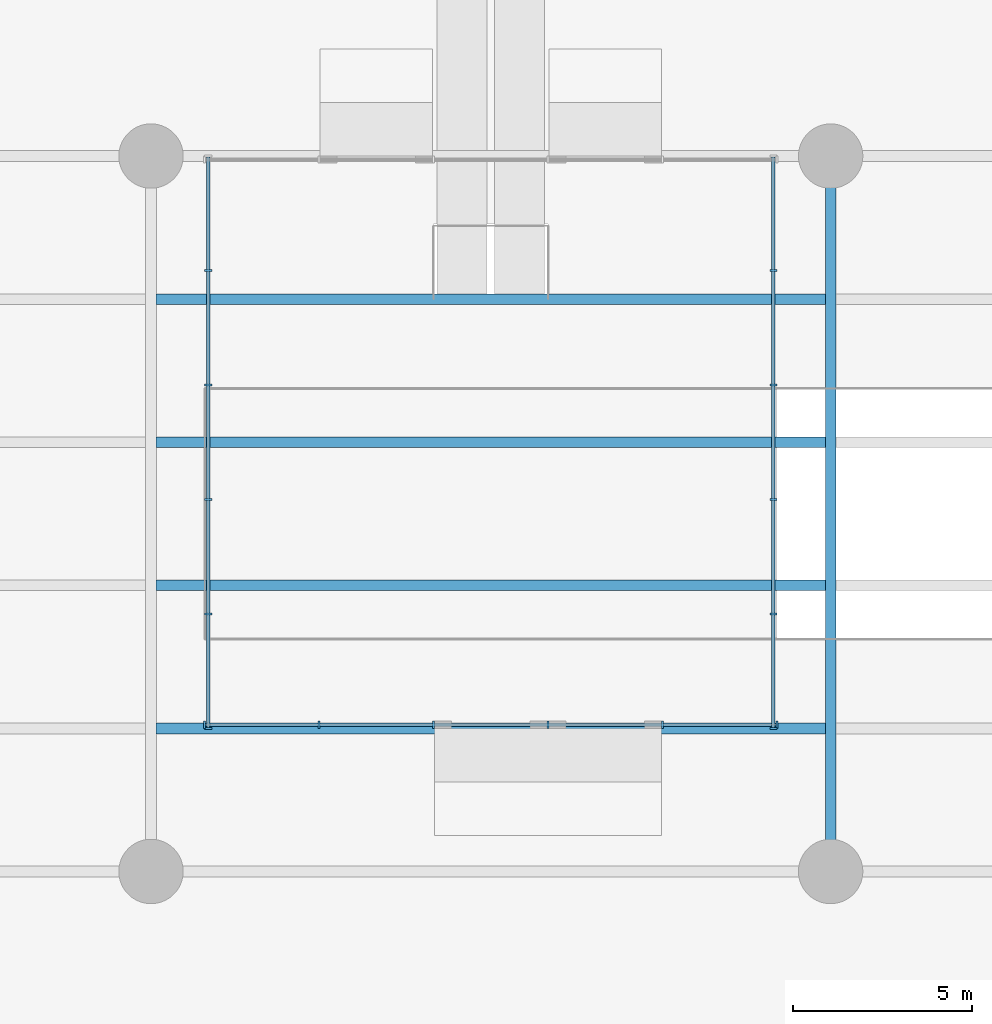
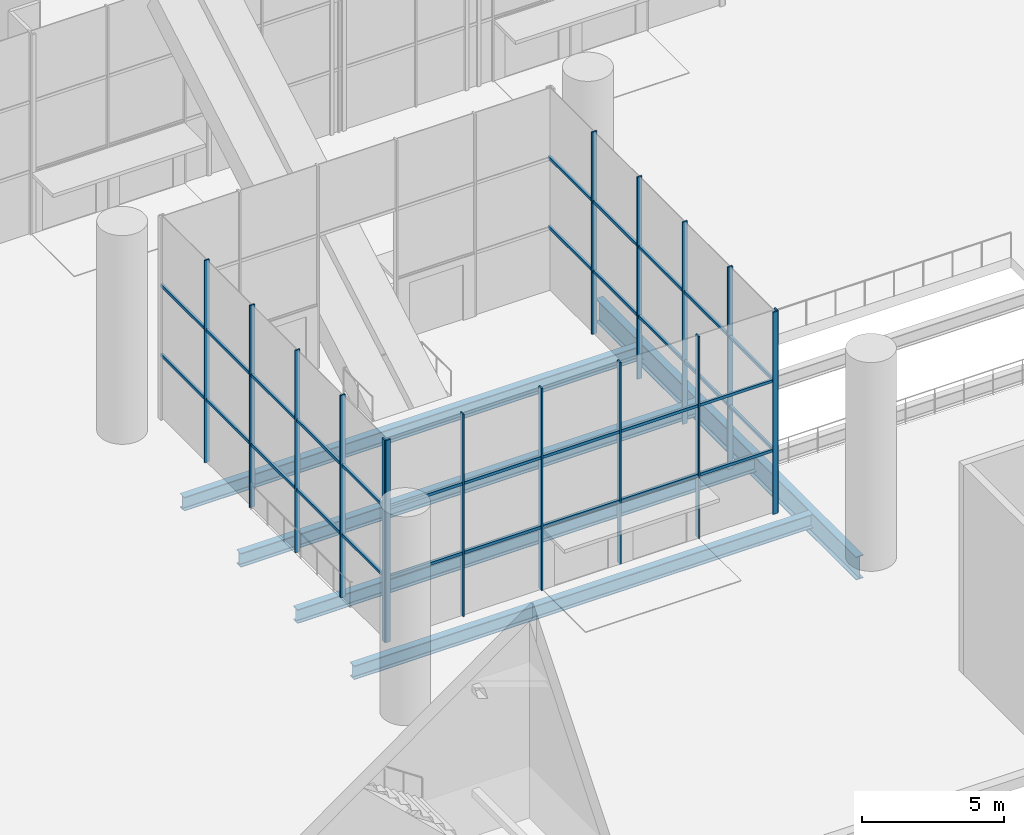
# One storey, part 2 of 37: 22 members, 5 beams, 3 elements without a shape of their own.
"""IFC4 building model written with IfcOpenShell, lengths in metres."""

import ifcopenshell
import ifcopenshell.guid

model = None  # the IFC model being written
_history = None  # IfcOwnerHistory: only IFC2X3 demands one
_inside = {}  # id of a spatial element -> (the spatial element, [elements in it])
_under = {}  # id of a project, library or spatial element -> (it, [spatial elements below it])
_declared = {}  # id of a project -> (the project, [libraries it declares])
_typed = {}  # id of a type object -> (the type object, [elements of that type])
_made_of = {}  # id of a material, layer set ... -> (it, [elements and type objects made of it])


def new_model(schema):
    """Start an empty IFC model of exactly this schema.

    Asked for "IFC4X3", IfcOpenShell would pick the latest addendum, in which some entities
    have other attributes; the version numbers below select the first issue.
    IFC2X3 requires an IfcOwnerHistory on every rooted entity: one is made here for all.
    """
    global model, _history
    if schema == "IFC4X3":
        model = ifcopenshell.file(schema_version=(4, 3, 0, 0))
    else:
        model = ifcopenshell.file(schema=schema)
    _inside.clear()
    _under.clear()
    _declared.clear()
    _typed.clear()
    _made_of.clear()
    _history = None
    if model.schema == "IFC2X3":
        org = make("IfcOrganization", Name="unknown")
        user = make(
            "IfcPersonAndOrganization",
            ThePerson=make("IfcPerson", FamilyName="unknown"),
            TheOrganization=org,
        )
        app = make(
            "IfcApplication",
            ApplicationDeveloper=org,
            Version="unknown",
            ApplicationFullName="unknown",
            ApplicationIdentifier="unknown",
        )
        _history = make(
            "IfcOwnerHistory",
            OwningUser=user,
            OwningApplication=app,
            ChangeAction="ADDED",
            CreationDate=0,
        )
    return model


def make(cls, **values):
    """One entity of the class cls with the attributes given. An attribute that is None is left unset."""
    return model.create_entity(
        cls, **{name: value for name, value in values.items() if value is not None}
    )


def rooted(cls, **values):
    """An entity with a GlobalId (a new one), such as an element, a storey or a relation."""
    return make(cls, GlobalId=ifcopenshell.guid.new(), OwnerHistory=_history, **values)


def si_unit(unit_type, name, prefix=None):
    """IfcSIUnit, for example si_unit("LENGTHUNIT", "METRE", prefix="MILLI")."""
    return make("IfcSIUnit", UnitType=unit_type, Prefix=prefix, Name=name)


def assignment(units):
    """IfcUnitAssignment: the units of a project."""
    return None if units is None else make("IfcUnitAssignment", Units=units)


def point(xyz):
    """IfcCartesianPoint."""
    return None if xyz is None else make("IfcCartesianPoint", Coordinates=xyz)


def direction(xyz):
    """IfcDirection."""
    return None if xyz is None else make("IfcDirection", DirectionRatios=xyz)


def frame(location, z_axis=None, x_axis=None):
    """IfcAxis2Placement3D, a coordinate frame: its origin and axes. An axis left out is left unset."""
    return make(
        "IfcAxis2Placement3D",
        Location=point(location),
        Axis=direction(z_axis),
        RefDirection=direction(x_axis),
    )


def frame_2d(location, x_axis=None):
    """IfcAxis2Placement2D, a coordinate frame in the plane: its origin and x axis."""
    return make(
        "IfcAxis2Placement2D", Location=point(location), RefDirection=direction(x_axis)
    )


def origin():
    """The frame at (0, 0, 0) with its axes left unset."""
    return frame((0.0, 0.0, 0.0))


def origin_2d():
    """The frame at (0, 0) in the plane with its x axis left unset."""
    return frame_2d((0.0, 0.0))


def place(relative_to, where):
    """IfcLocalPlacement: puts the frame where relative to a parent placement (None: the world)."""
    return make(
        "IfcLocalPlacement", PlacementRelTo=relative_to, RelativePlacement=where
    )


def context(
    kind, dimensions, precision=None, world=None, true_north=None, identifier=None
):
    """IfcGeometricRepresentationContext, for example the 3D "Model" context."""
    return make(
        "IfcGeometricRepresentationContext",
        ContextIdentifier=identifier,
        ContextType=kind,
        CoordinateSpaceDimension=dimensions,
        Precision=precision,
        WorldCoordinateSystem=world,
        TrueNorth=true_north,
    )


def subcontext(parent, identifier, kind, view, scale=None):
    """IfcGeometricRepresentationSubContext, for example "Body" below "Model"."""
    return make(
        "IfcGeometricRepresentationSubContext",
        ContextIdentifier=identifier,
        ContextType=kind,
        ParentContext=parent,
        TargetScale=scale,
        TargetView=view,
    )


def project(units=None, contexts=None):
    """IfcProject with its units and contexts."""
    return rooted(
        "IfcProject",
        Name="project",
        RepresentationContexts=contexts,
        UnitsInContext=assignment(units),
    )


def spatial(cls, under=None, at=None, **own):
    """A site, building, storey or space (cls), placed at a placement, below another one or the project."""
    s = rooted(cls, ObjectPlacement=at, **own)
    if under is not None:
        _under.setdefault(under.id(), (under, []))[1].append(s)
    return s


def profile(cls, at=None, kind="AREA", **sizes):
    """A parametric profile (cls). Its sizes go by their IFC names, for example OverallWidth=200.0."""
    return make(cls, ProfileType=kind, Position=at, **sizes)


def rectangle(**sizes):
    """IfcRectangleProfileDef."""
    return profile("IfcRectangleProfileDef", **sizes)


def i_section(**sizes):
    """IfcIShapeProfileDef."""
    return profile("IfcIShapeProfileDef", **sizes)


def extrude(swept, where, along, depth):
    """IfcExtrudedAreaSolid: the profile swept, set in the frame where, extruded along a direction by depth."""
    return make(
        "IfcExtrudedAreaSolid",
        SweptArea=swept,
        Position=where,
        ExtrudedDirection=direction(along),
        Depth=depth,
    )


def shape(context_of_items, identifier, shape_type, items):
    """IfcShapeRepresentation: the items that make up one representation, for example the "Body"."""
    return make(
        "IfcShapeRepresentation",
        ContextOfItems=context_of_items,
        RepresentationIdentifier=identifier,
        RepresentationType=shape_type,
        Items=items,
    )


def material(Name=None, Category=None):
    """IfcMaterial."""
    return make("IfcMaterial", Name=Name, Category=Category)


def material_profile(
    of_material, cross_section, Name=None, Category=None, Priority=None
):
    """IfcMaterialProfile: a cross section and its material."""
    return make(
        "IfcMaterialProfile",
        Name=Name,
        Material=of_material,
        Profile=cross_section,
        Priority=Priority,
        Category=Category,
    )


def profile_set(profiles, Name=None, composite=None):
    """IfcMaterialProfileSet."""
    return make(
        "IfcMaterialProfileSet",
        Name=Name,
        MaterialProfiles=profiles,
        CompositeProfile=composite,
    )


def made_of(thing, what):
    """Note that an element or type object is made of a material, layer set ...; save() writes the relation."""
    if what is not None:
        _made_of.setdefault(what.id(), (what, []))[1].append(thing)
    return thing


def type_object(cls, material=None, **own):
    """A type object (cls), such as IfcWallType, which elements share."""
    return made_of(rooted(cls, **own), material)


def element(
    cls,
    number,
    at=None,
    inside=None,
    cuts=None,
    type_object=None,
    material=None,
    context=None,
    identifier="Body",
    shape_type=None,
    held_by="IfcProductDefinitionShape",
    body=None,
    shapes=None,
    **own,
):
    """One element of the class cls, such as IfcWall. Its Tag is "e" and its number.

    at: its placement. inside: the storey or other place that contains it. cuts: it is an
    opening in that element (IfcRelVoidsElement). A single representation is given by context,
    identifier, shape_type and body (its items); several are given by shapes. held_by: the class
    of the entity that holds the representations. save() writes the other relations.
    """
    e = rooted(cls, Tag="e%d" % number, ObjectPlacement=at, **own)
    if body is not None:
        shapes = [shape(context, identifier, shape_type, body)]
    if shapes is not None:
        e.Representation = make(held_by, Representations=shapes)
    if inside is not None:
        _inside.setdefault(inside.id(), (inside, []))[1].append(e)
    if cuts is not None:
        rooted(
            "IfcRelVoidsElement", RelatingBuildingElement=cuts, RelatedOpeningElement=e
        )
    if type_object is not None:
        _typed.setdefault(type_object.id(), (type_object, []))[1].append(e)
    return made_of(e, material)


def aggregate(whole, parts):
    """IfcRelAggregates: a whole, such as a stair, and the parts it consists of."""
    return rooted("IfcRelAggregates", RelatingObject=whole, RelatedObjects=parts)


def save(model, path):
    """Write the relations noted so far, then the file.

    IfcRelAggregates (storeys below a building ...), IfcRelContainedInSpatialStructure (elements
    in a storey), IfcRelDefinesByType, IfcRelAssociatesMaterial and IfcRelDeclares: one each for
    every whole, place, type object, material and project.
    """
    for whole, parts in _under.values():
        aggregate(whole, parts)
    for where, things in _inside.values():
        rooted(
            "IfcRelContainedInSpatialStructure",
            RelatedElements=things,
            RelatingStructure=where,
        )
    for kind, things in _typed.values():
        rooted("IfcRelDefinesByType", RelatedObjects=things, RelatingType=kind)
    for what, things in _made_of.values():
        rooted("IfcRelAssociatesMaterial", RelatedObjects=things, RelatingMaterial=what)
    for by, libraries in _declared.values():
        rooted("IfcRelDeclares", RelatingContext=by, RelatedDefinitions=libraries)
    model.write(path)


model = new_model("IFC4")

# Units and contexts
model_context = context("Model", 3, precision=1e-05, world=origin(), true_north=direction((0.0, 1.0)))
body_context = subcontext(model_context, "Body", "Model", "MODEL_VIEW")
ifc_project = project(units=[si_unit("LENGTHUNIT", "METRE"), si_unit("AREAUNIT", "SQUARE_METRE"), si_unit("VOLUMEUNIT", "CUBIC_METRE"), si_unit("PLANEANGLEUNIT", "RADIAN"), si_unit("MASSUNIT", "GRAM", prefix="KILO")], contexts=[model_context])

# Site, building, storey
site_placement = place(None, origin())
site = spatial("IfcSite", under=ifc_project, at=site_placement, CompositionType="ELEMENT")
building_placement = place(site_placement, origin())
building = spatial("IfcBuilding", under=site, at=building_placement, Name="Tel Ilan Convention Tower", CompositionType="ELEMENT")
storey_placement = place(building_placement, origin())
storey = spatial("IfcBuildingStorey", under=building, at=storey_placement, Name="L00", CompositionType="ELEMENT", Elevation=0.0)

# Curtain wall, members
ifc_material_1 = material(Name="Aluminium, bronze anodised", Category="aluminium")
curtain_wall_type = type_object("IfcCurtainWallType", Name="CW6 LOBBY PAVILION CURTAIN WALL, CLEAR GLASS", PredefinedType="NOTDEFINED", material=ifc_material_1)
curtain_wall_1_placement = place(storey_placement, origin())
curtain_wall_1 = element("IfcCurtainWall", 1, at=curtain_wall_1_placement, inside=storey, type_object=curtain_wall_type, Name="Curtain wall CW6-03.08", PredefinedType="NOTDEFINED")
ifc_material_2 = material(Name="Aluminium, bronze anodised", Category="aluminium")
ifc_material_profile_1 = material_profile(ifc_material_2, rectangle(XDim=0.06005859375, YDim=0.199951171875, at=origin_2d()), Name="CW MULLION 60x200")
ifc_profile_set_1 = profile_set([ifc_material_profile_1], Name="Aluminium, bronze anodised")
member_type_1 = type_object("IfcMemberType", Name="CW MULLION 60x200", PredefinedType="MULLION", material=ifc_profile_set_1)
member_1_placement = place(storey_placement, frame((7.89990234375, -64.0, 0.0), z_axis=(0.0, 0.0, 1.0), x_axis=(0.0, 1.0, 0.0)))
member_1 = element("IfcMember", 2, at=member_1_placement, type_object=member_type_1, Name="Mullion", PredefinedType="MULLION", context=body_context, shape_type="SweptSolid", body=[
    extrude(rectangle(XDim=0.06005859375, YDim=0.199951171875, at=origin_2d()), origin(), (0.0, 0.0, 1.0), 8.719970703125),
])
member_2_placement = place(storey_placement, frame((7.89990234375, -60.800048828125, 0.0), z_axis=(0.0, 0.0, 1.0), x_axis=(0.0, 1.0, 0.0)))
member_2 = element("IfcMember", 3, at=member_2_placement, type_object=member_type_1, Name="Mullion", PredefinedType="MULLION", context=body_context, shape_type="SweptSolid", body=[
    extrude(rectangle(XDim=0.06005859375, YDim=0.199951171875, at=origin_2d()), origin(), (0.0, 0.0, 1.0), 8.719970703125),
])
member_3_placement = place(storey_placement, frame((7.89990234375, -57.60009765625, 0.0), z_axis=(0.0, 0.0, 1.0), x_axis=(0.0, 1.0, 0.0)))
member_3 = element("IfcMember", 4, at=member_3_placement, type_object=member_type_1, Name="Mullion", PredefinedType="MULLION", context=body_context, shape_type="SweptSolid", body=[
    extrude(rectangle(XDim=0.06005859375, YDim=0.199951171875, at=origin_2d()), origin(), (0.0, 0.0, 1.0), 8.719970703125),
])
member_4_placement = place(storey_placement, frame((7.89990234375, -54.39990234375, 0.0), z_axis=(0.0, 0.0, 1.0), x_axis=(0.0, 1.0, 0.0)))
member_4 = element("IfcMember", 5, at=member_4_placement, type_object=member_type_1, Name="Mullion", PredefinedType="MULLION", context=body_context, shape_type="SweptSolid", body=[
    extrude(rectangle(XDim=0.06005859375, YDim=0.199951171875, at=origin_2d()), origin(), (0.0, 0.0, 1.0), 8.719970703125),
])
member_5_placement = place(storey_placement, frame((7.89990234375, -51.199951171875, 0.0), z_axis=(0.0, 0.0, 1.0), x_axis=(0.0, 1.0, 0.0)))
member_5 = element("IfcMember", 6, at=member_5_placement, type_object=member_type_1, Name="Mullion", PredefinedType="MULLION", context=body_context, shape_type="SweptSolid", body=[
    extrude(rectangle(XDim=0.06005859375, YDim=0.199951171875, at=origin_2d()), origin(), (0.0, 0.0, 1.0), 8.719970703125),
])

curtain_wall_2_placement = place(storey_placement, origin())
curtain_wall_2 = element("IfcCurtainWall", 7, at=curtain_wall_2_placement, inside=storey, type_object=curtain_wall_type, Name="Curtain wall CW6-03.10", PredefinedType="NOTDEFINED")
member_6_placement = place(storey_placement, frame((-7.89990234375, -51.199951171875, 0.0), z_axis=(0.0, 0.0, 1.0), x_axis=(0.0, -1.0, 0.0)))
member_6 = element("IfcMember", 8, at=member_6_placement, type_object=member_type_1, Name="Mullion", PredefinedType="MULLION", context=body_context, shape_type="SweptSolid", body=[
    extrude(rectangle(XDim=0.06005859375, YDim=0.199951171875, at=origin_2d()), origin(), (0.0, 0.0, 1.0), 8.719970703125),
])
member_7_placement = place(storey_placement, frame((-7.89990234375, -54.39990234375, 0.0), z_axis=(0.0, 0.0, 1.0), x_axis=(0.0, -1.0, 0.0)))
member_7 = element("IfcMember", 9, at=member_7_placement, type_object=member_type_1, Name="Mullion", PredefinedType="MULLION", context=body_context, shape_type="SweptSolid", body=[
    extrude(rectangle(XDim=0.06005859375, YDim=0.199951171875, at=origin_2d()), origin(), (0.0, 0.0, 1.0), 8.719970703125),
])
member_8_placement = place(storey_placement, frame((-7.89990234375, -57.60009765625, 0.0), z_axis=(0.0, 0.0, 1.0), x_axis=(0.0, -1.0, 0.0)))
member_8 = element("IfcMember", 10, at=member_8_placement, type_object=member_type_1, Name="Mullion", PredefinedType="MULLION", context=body_context, shape_type="SweptSolid", body=[
    extrude(rectangle(XDim=0.06005859375, YDim=0.199951171875, at=origin_2d()), origin(), (0.0, 0.0, 1.0), 8.719970703125),
])
member_9_placement = place(storey_placement, frame((-7.89990234375, -60.800048828125, 0.0), z_axis=(0.0, 0.0, 1.0), x_axis=(0.0, -1.0, 0.0)))
member_9 = element("IfcMember", 11, at=member_9_placement, type_object=member_type_1, Name="Mullion", PredefinedType="MULLION", context=body_context, shape_type="SweptSolid", body=[
    extrude(rectangle(XDim=0.06005859375, YDim=0.199951171875, at=origin_2d()), origin(), (0.0, 0.0, 1.0), 8.719970703125),
])
member_10_placement = place(storey_placement, frame((-7.89990234375, -64.0, 0.0), z_axis=(0.0, 0.0, 1.0), x_axis=(0.0, -1.0, 0.0)))
member_10 = element("IfcMember", 12, at=member_10_placement, type_object=member_type_1, Name="Mullion", PredefinedType="MULLION", context=body_context, shape_type="SweptSolid", body=[
    extrude(rectangle(XDim=0.06005859375, YDim=0.199951171875, at=origin_2d()), origin(), (0.0, 0.0, 1.0), 8.719970703125),
])

curtain_wall_3_placement = place(storey_placement, origin())
curtain_wall_3 = element("IfcCurtainWall", 13, at=curtain_wall_3_placement, inside=storey, type_object=curtain_wall_type, Name="Curtain wall CW6-03.11", PredefinedType="NOTDEFINED")
member_11_placement = place(storey_placement, frame((-8.0, -63.89990234375, 0.0), z_axis=(0.0, 0.0, 1.0), x_axis=(1.0, 0.0, 0.0)))
member_11 = element("IfcMember", 14, at=member_11_placement, type_object=member_type_1, Name="Mullion", PredefinedType="MULLION", context=body_context, shape_type="SweptSolid", body=[
    extrude(rectangle(XDim=0.06005859375, YDim=0.199951171875, at=origin_2d()), origin(), (0.0, 0.0, 1.0), 8.719970703125),
])
member_12_placement = place(storey_placement, frame((-4.800048828125, -63.89990234375, 0.0), z_axis=(0.0, 0.0, 1.0), x_axis=(1.0, 0.0, 0.0)))
member_12 = element("IfcMember", 15, at=member_12_placement, type_object=member_type_1, Name="Mullion", PredefinedType="MULLION", context=body_context, shape_type="SweptSolid", body=[
    extrude(rectangle(XDim=0.06005859375, YDim=0.199951171875, at=origin_2d()), origin(), (0.0, 0.0, 1.0), 8.719970703125),
])
member_13_placement = place(storey_placement, frame((-1.60009765625, -63.89990234375, 0.0), z_axis=(0.0, 0.0, 1.0), x_axis=(1.0, 0.0, 0.0)))
member_13 = element("IfcMember", 16, at=member_13_placement, type_object=member_type_1, Name="Mullion", PredefinedType="MULLION", context=body_context, shape_type="SweptSolid", body=[
    extrude(rectangle(XDim=0.06005859375, YDim=0.199951171875, at=origin_2d()), origin(), (0.0, 0.0, 1.0), 8.719970703125),
])
member_14_placement = place(storey_placement, frame((1.60009765625, -63.89990234375, 0.0), z_axis=(0.0, 0.0, 1.0), x_axis=(1.0, 0.0, 0.0)))
member_14 = element("IfcMember", 17, at=member_14_placement, type_object=member_type_1, Name="Mullion", PredefinedType="MULLION", context=body_context, shape_type="SweptSolid", body=[
    extrude(rectangle(XDim=0.06005859375, YDim=0.199951171875, at=origin_2d()), origin(), (0.0, 0.0, 1.0), 8.719970703125),
])
member_15_placement = place(storey_placement, frame((4.800048828125, -63.89990234375, 0.0), z_axis=(0.0, 0.0, 1.0), x_axis=(1.0, 0.0, 0.0)))
member_15 = element("IfcMember", 18, at=member_15_placement, type_object=member_type_1, Name="Mullion", PredefinedType="MULLION", context=body_context, shape_type="SweptSolid", body=[
    extrude(rectangle(XDim=0.06005859375, YDim=0.199951171875, at=origin_2d()), origin(), (0.0, 0.0, 1.0), 8.719970703125),
])
member_16_placement = place(storey_placement, frame((8.0, -63.89990234375, 0.0), z_axis=(0.0, 0.0, 1.0), x_axis=(1.0, 0.0, 0.0)))
member_16 = element("IfcMember", 19, at=member_16_placement, type_object=member_type_1, Name="Mullion", PredefinedType="MULLION", context=body_context, shape_type="SweptSolid", body=[
    extrude(rectangle(XDim=0.06005859375, YDim=0.199951171875, at=origin_2d()), origin(), (0.0, 0.0, 1.0), 8.719970703125),
])

# Member
ifc_material_3 = material(Name="Aluminium, bronze anodised", Category="aluminium")
ifc_material_profile_2 = material_profile(ifc_material_3, rectangle(XDim=0.10009765625, YDim=0.1201171875, at=origin_2d()), Name="CW TRANSOM 100x120")
ifc_profile_set_2 = profile_set([ifc_material_profile_2], Name="Aluminium, bronze anodised")
member_type_2 = type_object("IfcMemberType", Name="CW TRANSOM 100x120", PredefinedType="USERDEFINED", material=ifc_profile_set_2)
member_17_placement = place(storey_placement, frame((7.89990234375, -63.969970703125, 2.699951171875), z_axis=(0.0, 1.0, 0.0), x_axis=(-1.0, 0.0, 0.0)))
member_17 = element("IfcMember", 20, at=member_17_placement, type_object=member_type_2, Name="Transom", ObjectType="TRANSOM", PredefinedType="USERDEFINED", context=body_context, shape_type="SweptSolid", body=[
    extrude(rectangle(XDim=0.10009765625, YDim=0.1201171875, at=origin_2d()), origin(), (0.0, 0.0, 1.0), 15.93994140625),
])

member_18_placement = place(storey_placement, frame((7.89990234375, -63.969970703125, 5.699951171875), z_axis=(0.0, 1.0, 0.0), x_axis=(-1.0, 0.0, 0.0)))
member_18 = element("IfcMember", 21, at=member_18_placement, type_object=member_type_2, Name="Transom", ObjectType="TRANSOM", PredefinedType="USERDEFINED", context=body_context, shape_type="SweptSolid", body=[
    extrude(rectangle(XDim=0.10009765625, YDim=0.1201171875, at=origin_2d()), origin(), (0.0, 0.0, 1.0), 15.93994140625),
])

aggregate(curtain_wall_1, [member_1, member_2, member_3, member_4, member_5, member_17, member_18])

member_19_placement = place(storey_placement, frame((-7.89990234375, -48.030029296875, 2.699951171875), z_axis=(0.0, -1.0, 0.0), x_axis=(1.0, 0.0, 0.0)))
member_19 = element("IfcMember", 22, at=member_19_placement, type_object=member_type_2, Name="Transom", ObjectType="TRANSOM", PredefinedType="USERDEFINED", context=body_context, shape_type="SweptSolid", body=[
    extrude(rectangle(XDim=0.10009765625, YDim=0.1201171875, at=origin_2d()), origin(), (0.0, 0.0, 1.0), 15.93994140625),
])

member_20_placement = place(storey_placement, frame((-7.89990234375, -48.030029296875, 5.699951171875), z_axis=(0.0, -1.0, 0.0), x_axis=(1.0, 0.0, 0.0)))
member_20 = element("IfcMember", 23, at=member_20_placement, type_object=member_type_2, Name="Transom", ObjectType="TRANSOM", PredefinedType="USERDEFINED", context=body_context, shape_type="SweptSolid", body=[
    extrude(rectangle(XDim=0.10009765625, YDim=0.1201171875, at=origin_2d()), origin(), (0.0, 0.0, 1.0), 15.93994140625),
])

aggregate(curtain_wall_2, [member_6, member_7, member_8, member_9, member_10, member_19, member_20])

member_21_placement = place(storey_placement, frame((-7.969970703125, -63.89990234375, 2.699951171875), z_axis=(1.0, 0.0, 0.0), x_axis=(0.0, 1.0, 0.0)))
member_21 = element("IfcMember", 24, at=member_21_placement, type_object=member_type_2, Name="Transom", ObjectType="TRANSOM", PredefinedType="USERDEFINED", context=body_context, shape_type="SweptSolid", body=[
    extrude(rectangle(XDim=0.10009765625, YDim=0.1201171875, at=origin_2d()), origin(), (0.0, 0.0, 1.0), 15.93994140625),
])

member_22_placement = place(storey_placement, frame((-7.969970703125, -63.89990234375, 5.699951171875), z_axis=(1.0, 0.0, 0.0), x_axis=(0.0, 1.0, 0.0)))
member_22 = element("IfcMember", 25, at=member_22_placement, type_object=member_type_2, Name="Transom", ObjectType="TRANSOM", PredefinedType="USERDEFINED", context=body_context, shape_type="SweptSolid", body=[
    extrude(rectangle(XDim=0.10009765625, YDim=0.1201171875, at=origin_2d()), origin(), (0.0, 0.0, 1.0), 15.93994140625),
])

aggregate(curtain_wall_3, [member_11, member_12, member_13, member_14, member_15, member_16, member_21, member_22])

# Beams
ifc_material_4 = material(Name="Steel S355", Category="steel")
ifc_material_profile_3 = material_profile(ifc_material_4, i_section(OverallWidth=0.300048828125, OverallDepth=1.0, WebThickness=0.01904296875, FlangeThickness=0.035888671875, FilletRadius=0.030029296875, at=origin_2d()), Name="HEB 1000")
ifc_profile_set_3 = profile_set([ifc_material_profile_3], Name="Steel S355")
beam_type_1 = type_object("IfcBeamType", Name="Girder HEB 1000 Steel S355", PredefinedType="BEAM", material=ifc_profile_set_3)
beam_placement = place(storey_placement, frame((9.5, -67.199951171875, -0.949951171875), z_axis=(0.0, 1.0, 0.0), x_axis=(-1.0, 0.0, 0.0)))
element("IfcBeam", 26, at=beam_placement, inside=storey, type_object=beam_type_1, Name="L00 beam GY42-3", PredefinedType="BEAM", context=body_context, shape_type="SweptSolid", body=[
    extrude(i_section(OverallWidth=0.300048828125, OverallDepth=1.0, WebThickness=0.01904296875, FlangeThickness=0.035888671875, FilletRadius=0.030029296875, at=origin_2d()), origin(), (0.0, 0.0, 1.0), 18.39990234375),
])
ifc_material_5 = material(Name="Steel S355", Category="steel")
ifc_material_profile_4 = material_profile(ifc_material_5, i_section(OverallWidth=0.300048828125, OverallDepth=0.60009765625, WebThickness=0.015380859375, FlangeThickness=0.030029296875, FilletRadius=0.027099609375, at=origin_2d()), Name="HEB 600")
ifc_profile_set_4 = profile_set([ifc_material_profile_4], Name="Steel S355")
beam_type_2 = type_object("IfcBeamType", Name="Joist HEB 600 Steel S355", PredefinedType="JOIST", material=ifc_profile_set_4)
for number, where, z_axis, x_axis, name in (
    (27, (-9.360107421875, -64.0, -0.75), (1.0, 0.0, 0.0), (0.0, 1.0, 0.0), "L00 beam J3--68-1"),
    (28, (-9.360107421875, -60.0, -0.75), (1.0, 0.0, 0.0), (0.0, 1.0, 0.0), "L00 beam J3--68-2"),
    (29, (-9.360107421875, -56.0, -0.75), (1.0, 0.0, 0.0), (0.0, 1.0, 0.0), "L00 beam J3--68-3"),
    (30, (-9.360107421875, -52.0, -0.75), (1.0, 0.0, 0.0), (0.0, 1.0, 0.0), "L00 beam J3--68-4"),
):
    element("IfcBeam", number, at=place(storey_placement, frame(where, z_axis=z_axis, x_axis=x_axis)), inside=storey, type_object=beam_type_2, Name=name, PredefinedType="JOIST", context=body_context, shape_type="SweptSolid", body=[
        extrude(i_section(OverallWidth=0.300048828125, OverallDepth=0.60009765625, WebThickness=0.015380859375, FlangeThickness=0.030029296875, FilletRadius=0.027099609375, at=origin_2d()), origin(), (0.0, 0.0, 1.0), 18.72021484375),
    ])

save(model, "model.ifc")
